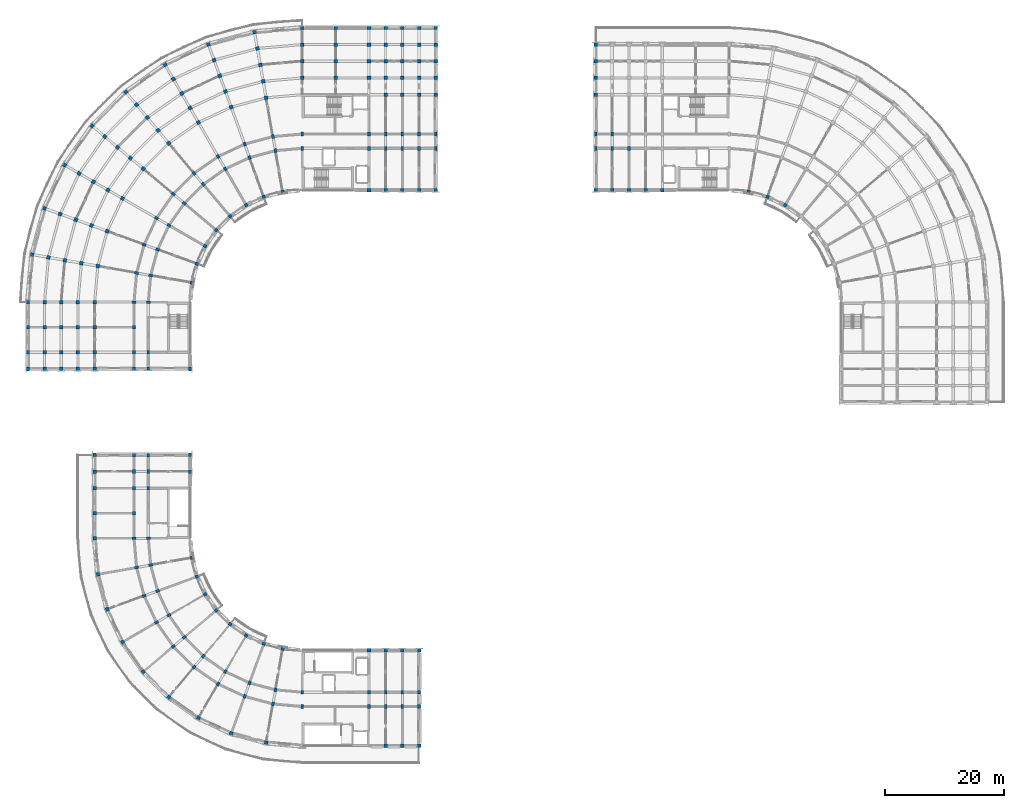
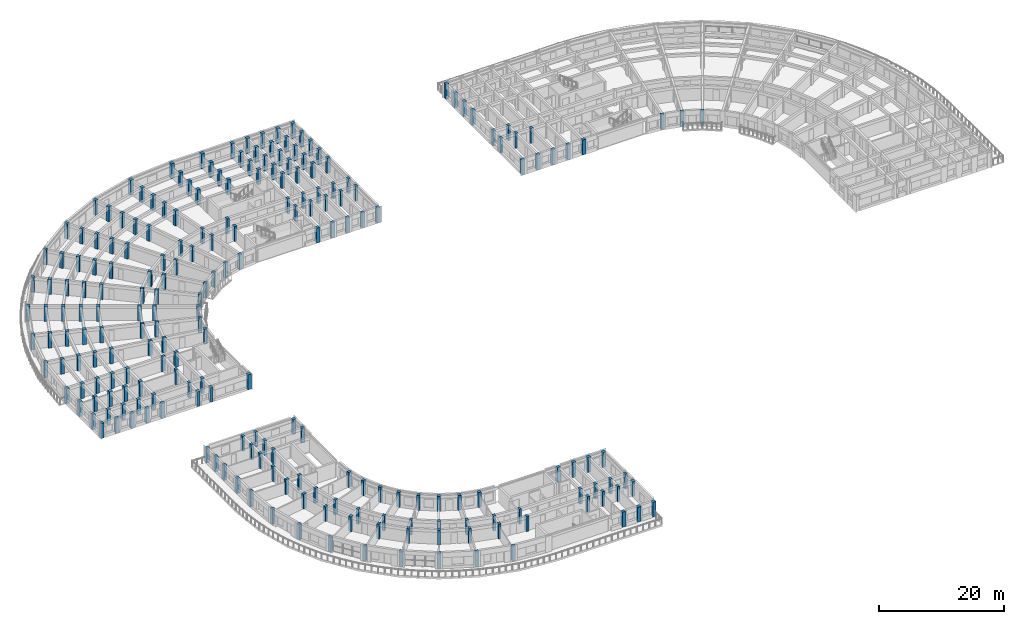
# One storey, part 1 of 53: 223 columns.
"""IFC4 building model written with IfcOpenShell, lengths in metres."""

import ifcopenshell
import ifcopenshell.guid

model = None  # the IFC model being written
_history = None  # IfcOwnerHistory: only IFC2X3 demands one
_inside = {}  # id of a spatial element -> (the spatial element, [elements in it])
_under = {}  # id of a project, library or spatial element -> (it, [spatial elements below it])
_declared = {}  # id of a project -> (the project, [libraries it declares])
_typed = {}  # id of a type object -> (the type object, [elements of that type])
_made_of = {}  # id of a material, layer set ... -> (it, [elements and type objects made of it])


def new_model(schema):
    """Start an empty IFC model of exactly this schema.

    Asked for "IFC4X3", IfcOpenShell would pick the latest addendum, in which some entities
    have other attributes; the version numbers below select the first issue.
    IFC2X3 requires an IfcOwnerHistory on every rooted entity: one is made here for all.
    """
    global model, _history
    if schema == "IFC4X3":
        model = ifcopenshell.file(schema_version=(4, 3, 0, 0))
    else:
        model = ifcopenshell.file(schema=schema)
    _inside.clear()
    _under.clear()
    _declared.clear()
    _typed.clear()
    _made_of.clear()
    _history = None
    if model.schema == "IFC2X3":
        org = make("IfcOrganization", Name="unknown")
        user = make(
            "IfcPersonAndOrganization",
            ThePerson=make("IfcPerson", FamilyName="unknown"),
            TheOrganization=org,
        )
        app = make(
            "IfcApplication",
            ApplicationDeveloper=org,
            Version="unknown",
            ApplicationFullName="unknown",
            ApplicationIdentifier="unknown",
        )
        _history = make(
            "IfcOwnerHistory",
            OwningUser=user,
            OwningApplication=app,
            ChangeAction="ADDED",
            CreationDate=0,
        )
    return model


def make(cls, **values):
    """One entity of the class cls with the attributes given. An attribute that is None is left unset."""
    return model.create_entity(
        cls, **{name: value for name, value in values.items() if value is not None}
    )


def rooted(cls, **values):
    """An entity with a GlobalId (a new one), such as an element, a storey or a relation."""
    return make(cls, GlobalId=ifcopenshell.guid.new(), OwnerHistory=_history, **values)


def si_unit(unit_type, name, prefix=None):
    """IfcSIUnit, for example si_unit("LENGTHUNIT", "METRE", prefix="MILLI")."""
    return make("IfcSIUnit", UnitType=unit_type, Prefix=prefix, Name=name)


def assignment(units):
    """IfcUnitAssignment: the units of a project."""
    return None if units is None else make("IfcUnitAssignment", Units=units)


def point(xyz):
    """IfcCartesianPoint."""
    return None if xyz is None else make("IfcCartesianPoint", Coordinates=xyz)


def direction(xyz):
    """IfcDirection."""
    return None if xyz is None else make("IfcDirection", DirectionRatios=xyz)


def frame(location, z_axis=None, x_axis=None):
    """IfcAxis2Placement3D, a coordinate frame: its origin and axes. An axis left out is left unset."""
    return make(
        "IfcAxis2Placement3D",
        Location=point(location),
        Axis=direction(z_axis),
        RefDirection=direction(x_axis),
    )


def frame_2d(location, x_axis=None):
    """IfcAxis2Placement2D, a coordinate frame in the plane: its origin and x axis."""
    return make(
        "IfcAxis2Placement2D", Location=point(location), RefDirection=direction(x_axis)
    )


def origin():
    """The frame at (0, 0, 0) with its axes left unset."""
    return frame((0.0, 0.0, 0.0))


def origin_2d():
    """The frame at (0, 0) in the plane with its x axis left unset."""
    return frame_2d((0.0, 0.0))


def place(relative_to, where):
    """IfcLocalPlacement: puts the frame where relative to a parent placement (None: the world)."""
    return make(
        "IfcLocalPlacement", PlacementRelTo=relative_to, RelativePlacement=where
    )


def context(
    kind, dimensions, precision=None, world=None, true_north=None, identifier=None
):
    """IfcGeometricRepresentationContext, for example the 3D "Model" context."""
    return make(
        "IfcGeometricRepresentationContext",
        ContextIdentifier=identifier,
        ContextType=kind,
        CoordinateSpaceDimension=dimensions,
        Precision=precision,
        WorldCoordinateSystem=world,
        TrueNorth=true_north,
    )


def subcontext(parent, identifier, kind, view, scale=None):
    """IfcGeometricRepresentationSubContext, for example "Body" below "Model"."""
    return make(
        "IfcGeometricRepresentationSubContext",
        ContextIdentifier=identifier,
        ContextType=kind,
        ParentContext=parent,
        TargetScale=scale,
        TargetView=view,
    )


def project(units=None, contexts=None):
    """IfcProject with its units and contexts."""
    return rooted(
        "IfcProject",
        Name="project",
        RepresentationContexts=contexts,
        UnitsInContext=assignment(units),
    )


def spatial(cls, under=None, at=None, **own):
    """A site, building, storey or space (cls), placed at a placement, below another one or the project."""
    s = rooted(cls, ObjectPlacement=at, **own)
    if under is not None:
        _under.setdefault(under.id(), (under, []))[1].append(s)
    return s


def profile(cls, at=None, kind="AREA", **sizes):
    """A parametric profile (cls). Its sizes go by their IFC names, for example OverallWidth=200.0."""
    return make(cls, ProfileType=kind, Position=at, **sizes)


def rectangle(**sizes):
    """IfcRectangleProfileDef."""
    return profile("IfcRectangleProfileDef", **sizes)


def extrude(swept, where, along, depth):
    """IfcExtrudedAreaSolid: the profile swept, set in the frame where, extruded along a direction by depth."""
    return make(
        "IfcExtrudedAreaSolid",
        SweptArea=swept,
        Position=where,
        ExtrudedDirection=direction(along),
        Depth=depth,
    )


def shape(context_of_items, identifier, shape_type, items):
    """IfcShapeRepresentation: the items that make up one representation, for example the "Body"."""
    return make(
        "IfcShapeRepresentation",
        ContextOfItems=context_of_items,
        RepresentationIdentifier=identifier,
        RepresentationType=shape_type,
        Items=items,
    )


def material(Name=None, Category=None):
    """IfcMaterial."""
    return make("IfcMaterial", Name=Name, Category=Category)


def material_profile(
    of_material, cross_section, Name=None, Category=None, Priority=None
):
    """IfcMaterialProfile: a cross section and its material."""
    return make(
        "IfcMaterialProfile",
        Name=Name,
        Material=of_material,
        Profile=cross_section,
        Priority=Priority,
        Category=Category,
    )


def profile_set(profiles, Name=None, composite=None):
    """IfcMaterialProfileSet."""
    return make(
        "IfcMaterialProfileSet",
        Name=Name,
        MaterialProfiles=profiles,
        CompositeProfile=composite,
    )


def made_of(thing, what):
    """Note that an element or type object is made of a material, layer set ...; save() writes the relation."""
    if what is not None:
        _made_of.setdefault(what.id(), (what, []))[1].append(thing)
    return thing


def type_object(cls, material=None, **own):
    """A type object (cls), such as IfcWallType, which elements share."""
    return made_of(rooted(cls, **own), material)


def element(
    cls,
    number,
    at=None,
    inside=None,
    cuts=None,
    type_object=None,
    material=None,
    context=None,
    identifier="Body",
    shape_type=None,
    held_by="IfcProductDefinitionShape",
    body=None,
    shapes=None,
    **own,
):
    """One element of the class cls, such as IfcWall. Its Tag is "e" and its number.

    at: its placement. inside: the storey or other place that contains it. cuts: it is an
    opening in that element (IfcRelVoidsElement). A single representation is given by context,
    identifier, shape_type and body (its items); several are given by shapes. held_by: the class
    of the entity that holds the representations. save() writes the other relations.
    """
    e = rooted(cls, Tag="e%d" % number, ObjectPlacement=at, **own)
    if body is not None:
        shapes = [shape(context, identifier, shape_type, body)]
    if shapes is not None:
        e.Representation = make(held_by, Representations=shapes)
    if inside is not None:
        _inside.setdefault(inside.id(), (inside, []))[1].append(e)
    if cuts is not None:
        rooted(
            "IfcRelVoidsElement", RelatingBuildingElement=cuts, RelatedOpeningElement=e
        )
    if type_object is not None:
        _typed.setdefault(type_object.id(), (type_object, []))[1].append(e)
    return made_of(e, material)


def aggregate(whole, parts):
    """IfcRelAggregates: a whole, such as a stair, and the parts it consists of."""
    return rooted("IfcRelAggregates", RelatingObject=whole, RelatedObjects=parts)


def save(model, path):
    """Write the relations noted so far, then the file.

    IfcRelAggregates (storeys below a building ...), IfcRelContainedInSpatialStructure (elements
    in a storey), IfcRelDefinesByType, IfcRelAssociatesMaterial and IfcRelDeclares: one each for
    every whole, place, type object, material and project.
    """
    for whole, parts in _under.values():
        aggregate(whole, parts)
    for where, things in _inside.values():
        rooted(
            "IfcRelContainedInSpatialStructure",
            RelatedElements=things,
            RelatingStructure=where,
        )
    for kind, things in _typed.values():
        rooted("IfcRelDefinesByType", RelatedObjects=things, RelatingType=kind)
    for what, things in _made_of.values():
        rooted("IfcRelAssociatesMaterial", RelatedObjects=things, RelatingMaterial=what)
    for by, libraries in _declared.values():
        rooted("IfcRelDeclares", RelatingContext=by, RelatedDefinitions=libraries)
    model.write(path)


model = new_model("IFC4")

# Units and contexts
model_context = context("Model", 3, precision=1e-05, world=origin(), true_north=direction((0.0, 1.0)))
body_context = subcontext(model_context, "Body", "Model", "MODEL_VIEW")
ifc_project = project(units=[si_unit("LENGTHUNIT", "METRE"), si_unit("AREAUNIT", "SQUARE_METRE"), si_unit("VOLUMEUNIT", "CUBIC_METRE"), si_unit("PLANEANGLEUNIT", "RADIAN"), si_unit("MASSUNIT", "GRAM", prefix="KILO")], contexts=[model_context])

# Site, building, storey
site_placement = place(None, origin())
site = spatial("IfcSite", under=ifc_project, at=site_placement, CompositionType="ELEMENT")
building_placement = place(site_placement, origin())
building = spatial("IfcBuilding", under=site, at=building_placement, Name="Kiranvali Square Residences", CompositionType="ELEMENT")
storey_placement = place(building_placement, frame((0.0, 0.0, 30.75)))
storey = spatial("IfcBuildingStorey", under=building, at=storey_placement, Name="L09", CompositionType="ELEMENT", Elevation=30.75)

# Columns
ifc_material = material(Name="Concrete M40 (40 MPa)", Category="concrete")
ifc_material_profile_1 = material_profile(ifc_material, rectangle(XDim=0.550048828125, YDim=0.550048828125, at=origin_2d()), Name="RC 550x550")
ifc_profile_set_1 = profile_set([ifc_material_profile_1], Name="Concrete M40 (40 MPa)")
column_type_1 = type_object("IfcColumnType", Name="COL-M40-550", PredefinedType="COLUMN", material=ifc_profile_set_1)
for number, where, z_axis, x_axis, name in (
    (1, (44.935302734375, 106.314453125, 0.0), (0.0, 0.0, 1.0), (0.984807753012, 0.173648177667, 0.0), "Block A L09 radial column A01-R0"),
    (2, (41.77001953125, 105.46630859375, 0.0), (0.0, 0.0, 1.0), (0.939692620786, 0.342020143326, 0.0), "Block A L09 radial column A02-R0"),
    (3, (38.800048828125, 104.081298828125, 0.0), (0.0, 0.0, 1.0), (0.866025403784, 0.5, 0.0), "Block A L09 radial column A03-R0"),
    (4, (36.115478515625, 102.20166015625, 0.0), (0.0, 0.0, 1.0), (0.766044443119, 0.642787609687, 0.0), "Block A L09 radial column A04-R0"),
    (5, (33.79833984375, 99.884521484375, 0.0), (0.0, 0.0, 1.0), (0.642787609687, 0.766044443119, 0.0), "Block A L09 radial column A05-R0"),
    (6, (31.918701171875, 97.199951171875, 0.0), (0.0, 0.0, 1.0), (0.5, 0.866025403784, 0.0), "Block A L09 radial column A06-R0"),
    (7, (30.53369140625, 94.22998046875, 0.0), (0.0, 0.0, 1.0), (0.342020143326, 0.939692620786, 0.0), "Block A L09 radial column A07-R0"),
    (8, (29.685546875, 91.064697265625, 0.0), (0.0, 0.0, 1.0), (0.173648177667, 0.984807753012, 0.0), "Block A L09 radial column A08-R0"),
    (9, (123.064697265625, 106.314453125, 0.0), (0.0, 0.0, 1.0), (-0.984807753012, 0.173648177667, 0.0), "Block B L09 radial column A01-R0"),
    (10, (126.22998046875, 105.46630859375, 0.0), (0.0, 0.0, 1.0), (-0.939692620786, 0.342020143326, 0.0), "Block B L09 radial column A02-R0"),
    (11, (129.199951171875, 104.081298828125, 0.0), (0.0, 0.0, 1.0), (-0.866025403784, 0.5, 0.0), "Block B L09 radial column A03-R0"),
):
    element("IfcColumn", number, at=place(storey_placement, frame(where, z_axis=z_axis, x_axis=x_axis)), inside=storey, type_object=column_type_1, Name=name, PredefinedType="COLUMN", context=body_context, shape_type="SweptSolid", body=[
        extrude(rectangle(XDim=0.550048828125, YDim=0.550048828125, at=origin_2d()), origin(), (0.0, 0.0, 1.0), 2.929931640625),
    ])
for number, where, z_axis, x_axis, name in (
    (12, (44.935302734375, 29.685546875, 0.0), (0.0, 0.0, 1.0), (-0.984807753012, 0.173648177667, 0.0), "Block C L09 radial column A01-R0"),
    (13, (41.77001953125, 30.53369140625, 0.0), (0.0, 0.0, 1.0), (-0.939692620786, 0.342020143326, 0.0), "Block C L09 radial column A02-R0"),
    (14, (38.800048828125, 31.918701171875, 0.0), (0.0, 0.0, 1.0), (-0.866025403784, 0.5, 0.0), "Block C L09 radial column A03-R0"),
    (15, (36.115478515625, 33.79833984375, 0.0), (0.0, 0.0, 1.0), (-0.766044443119, 0.642787609687, 0.0), "Block C L09 radial column A04-R0"),
    (16, (33.79833984375, 36.115478515625, 0.0), (0.0, 0.0, 1.0), (-0.642787609687, 0.766044443119, 0.0), "Block C L09 radial column A05-R0"),
    (17, (31.918701171875, 38.800048828125, 0.0), (0.0, 0.0, 1.0), (-0.5, 0.866025403784, 0.0), "Block C L09 radial column A06-R0"),
    (18, (30.53369140625, 41.77001953125, 0.0), (0.0, 0.0, 1.0), (-0.342020143326, 0.939692620786, 0.0), "Block C L09 radial column A07-R0"),
    (19, (29.685546875, 44.935302734375, 0.0), (0.0, 0.0, 1.0), (-0.173648177667, 0.984807753012, 0.0), "Block C L09 radial column A08-R0"),
):
    element("IfcColumn", number, at=place(storey_placement, frame(where, z_axis=z_axis, x_axis=x_axis)), inside=storey, type_object=column_type_1, Name=name, PredefinedType="COLUMN", context=body_context, shape_type="SweptSolid", body=[
        extrude(rectangle(XDim=0.550048828125, YDim=0.550048828125, at=origin_2d()), origin(), (0.0, 0.0, 1.0), 2.909912109375),
    ])
ifc_material_profile_2 = material_profile(ifc_material, rectangle(XDim=0.60009765625, YDim=0.60009765625, at=origin_2d()), Name="RC 600x600")
ifc_profile_set_2 = profile_set([ifc_material_profile_2], Name="Concrete M40 (40 MPa)")
column_type_2 = type_object("IfcColumnType", Name="COL-M40-600", PredefinedType="COLUMN", material=ifc_profile_set_2)
for number, where, z_axis, x_axis, name in (
    (20, (48.199951171875, 125.39990234375, 0.0), (0.0, 0.0, 1.0), (1.0, 0.0, 0.0), "Block A L09 radial column A00-R4"),
    (21, (48.199951171875, 128.199951171875, 0.0), (0.0, 0.0, 1.0), (1.0, 0.0, 0.0), "Block A L09 radial column A00-R5"),
    (22, (48.199951171875, 131.0, 0.0), (0.0, 0.0, 1.0), (1.0, 0.0, 0.0), "Block A L09 radial column A00-R6"),
    (23, (48.199951171875, 133.800048828125, 0.0), (0.0, 0.0, 1.0), (1.0, 0.0, 0.0), "Block A L09 radial column A00-R7"),
    (24, (42.156982421875, 122.0712890625, 0.0), (0.0, 0.0, 1.0), (0.984807753012, 0.173648177667, 0.0), "Block A L09 radial column A01-R3"),
    (25, (41.6708984375, 124.828857421875, 0.0), (0.0, 0.0, 1.0), (0.984807753012, 0.173648177667, 0.0), "Block A L09 radial column A01-R4"),
    (26, (41.1845703125, 127.586181640625, 0.0), (0.0, 0.0, 1.0), (0.984807753012, 0.173648177667, 0.0), "Block A L09 radial column A01-R5"),
    (27, (40.698486328125, 130.34375, 0.0), (0.0, 0.0, 1.0), (0.984807753012, 0.173648177667, 0.0), "Block A L09 radial column A01-R6"),
    (28, (40.212158203125, 133.10107421875, 0.0), (0.0, 0.0, 1.0), (0.984807753012, 0.173648177667, 0.0), "Block A L09 radial column A01-R7"),
    (29, (36.297607421875, 120.501220703125, 0.0), (0.0, 0.0, 1.0), (0.939692620786, 0.342020143326, 0.0), "Block A L09 radial column A02-R3"),
    (30, (35.340087890625, 123.13232421875, 0.0), (0.0, 0.0, 1.0), (0.939692620786, 0.342020143326, 0.0), "Block A L09 radial column A02-R4"),
    (31, (34.38232421875, 125.763671875, 0.0), (0.0, 0.0, 1.0), (0.939692620786, 0.342020143326, 0.0), "Block A L09 radial column A02-R5"),
    (32, (33.4248046875, 128.394775390625, 0.0), (0.0, 0.0, 1.0), (0.939692620786, 0.342020143326, 0.0), "Block A L09 radial column A02-R6"),
    (33, (32.467041015625, 131.02587890625, 0.0), (0.0, 0.0, 1.0), (0.939692620786, 0.342020143326, 0.0), "Block A L09 radial column A02-R7"),
    (34, (30.800048828125, 117.937744140625, 0.0), (0.0, 0.0, 1.0), (0.866025403784, 0.5, 0.0), "Block A L09 radial column A03-R3"),
    (35, (29.39990234375, 120.362548828125, 0.0), (0.0, 0.0, 1.0), (0.866025403784, 0.5, 0.0), "Block A L09 radial column A03-R4"),
    (36, (28.0, 122.787353515625, 0.0), (0.0, 0.0, 1.0), (0.866025403784, 0.5, 0.0), "Block A L09 radial column A03-R5"),
    (37, (26.60009765625, 125.21240234375, 0.0), (0.0, 0.0, 1.0), (0.866025403784, 0.5, 0.0), "Block A L09 radial column A03-R6"),
    (38, (25.199951171875, 127.63720703125, 0.0), (0.0, 0.0, 1.0), (0.866025403784, 0.5, 0.0), "Block A L09 radial column A03-R7"),
    (39, (25.8310546875, 114.458251953125, 0.0), (0.0, 0.0, 1.0), (0.766044443119, 0.642787609687, 0.0), "Block A L09 radial column A04-R3"),
    (40, (24.03125, 116.603271484375, 0.0), (0.0, 0.0, 1.0), (0.766044443119, 0.642787609687, 0.0), "Block A L09 radial column A04-R4"),
    (41, (22.2314453125, 118.748291015625, 0.0), (0.0, 0.0, 1.0), (0.766044443119, 0.642787609687, 0.0), "Block A L09 radial column A04-R5"),
    (42, (20.431640625, 120.89306640625, 0.0), (0.0, 0.0, 1.0), (0.766044443119, 0.642787609687, 0.0), "Block A L09 radial column A04-R6"),
    (43, (18.6318359375, 123.0380859375, 0.0), (0.0, 0.0, 1.0), (0.766044443119, 0.642787609687, 0.0), "Block A L09 radial column A04-R7"),
    (44, (21.541748046875, 110.1689453125, 0.0), (0.0, 0.0, 1.0), (0.642787609687, 0.766044443119, 0.0), "Block A L09 radial column A05-R3"),
    (45, (19.396728515625, 111.96875, 0.0), (0.0, 0.0, 1.0), (0.642787609687, 0.766044443119, 0.0), "Block A L09 radial column A05-R4"),
    (46, (17.251708984375, 113.7685546875, 0.0), (0.0, 0.0, 1.0), (0.642787609687, 0.766044443119, 0.0), "Block A L09 radial column A05-R5"),
    (47, (15.10693359375, 115.568359375, 0.0), (0.0, 0.0, 1.0), (0.642787609687, 0.766044443119, 0.0), "Block A L09 radial column A05-R6"),
    (48, (12.9619140625, 117.3681640625, 0.0), (0.0, 0.0, 1.0), (0.642787609687, 0.766044443119, 0.0), "Block A L09 radial column A05-R7"),
    (49, (18.062255859375, 105.199951171875, 0.0), (0.0, 0.0, 1.0), (0.5, 0.866025403784, 0.0), "Block A L09 radial column A06-R3"),
    (50, (15.637451171875, 106.60009765625, 0.0), (0.0, 0.0, 1.0), (0.5, 0.866025403784, 0.0), "Block A L09 radial column A06-R4"),
    (51, (13.212646484375, 108.0, 0.0), (0.0, 0.0, 1.0), (0.5, 0.866025403784, 0.0), "Block A L09 radial column A06-R5"),
    (52, (10.78759765625, 109.39990234375, 0.0), (0.0, 0.0, 1.0), (0.5, 0.866025403784, 0.0), "Block A L09 radial column A06-R6"),
    (53, (8.36279296875, 110.800048828125, 0.0), (0.0, 0.0, 1.0), (0.5, 0.866025403784, 0.0), "Block A L09 radial column A06-R7"),
    (54, (15.498779296875, 99.702392578125, 0.0), (0.0, 0.0, 1.0), (0.342020143326, 0.939692620786, 0.0), "Block A L09 radial column A07-R3"),
    (55, (12.86767578125, 100.659912109375, 0.0), (0.0, 0.0, 1.0), (0.342020143326, 0.939692620786, 0.0), "Block A L09 radial column A07-R4"),
    (56, (10.236328125, 101.61767578125, 0.0), (0.0, 0.0, 1.0), (0.342020143326, 0.939692620786, 0.0), "Block A L09 radial column A07-R5"),
    (57, (7.605224609375, 102.5751953125, 0.0), (0.0, 0.0, 1.0), (0.342020143326, 0.939692620786, 0.0), "Block A L09 radial column A07-R6"),
    (58, (4.97412109375, 103.532958984375, 0.0), (0.0, 0.0, 1.0), (0.342020143326, 0.939692620786, 0.0), "Block A L09 radial column A07-R7"),
    (59, (13.9287109375, 93.843017578125, 0.0), (0.0, 0.0, 1.0), (0.173648177667, 0.984807753012, 0.0), "Block A L09 radial column A08-R3"),
    (60, (11.171142578125, 94.3291015625, 0.0), (0.0, 0.0, 1.0), (0.173648177667, 0.984807753012, 0.0), "Block A L09 radial column A08-R4"),
    (61, (8.413818359375, 94.8154296875, 0.0), (0.0, 0.0, 1.0), (0.173648177667, 0.984807753012, 0.0), "Block A L09 radial column A08-R5"),
    (62, (5.65625, 95.301513671875, 0.0), (0.0, 0.0, 1.0), (0.173648177667, 0.984807753012, 0.0), "Block A L09 radial column A08-R6"),
    (63, (2.89892578125, 95.787841796875, 0.0), (0.0, 0.0, 1.0), (0.173648177667, 0.984807753012, 0.0), "Block A L09 radial column A08-R7"),
    (64, (13.39990234375, 87.800048828125, 0.0), (0.0, 0.0, 1.0), (0.0, 1.0, 0.0), "Block A L09 radial column A09-R3"),
    (65, (10.60009765625, 87.800048828125, 0.0), (0.0, 0.0, 1.0), (0.0, 1.0, 0.0), "Block A L09 radial column A09-R4"),
    (66, (7.800048828125, 87.800048828125, 0.0), (0.0, 0.0, 1.0), (0.0, 1.0, 0.0), "Block A L09 radial column A09-R5"),
    (67, (5.0, 87.800048828125, 0.0), (0.0, 0.0, 1.0), (0.0, 1.0, 0.0), "Block A L09 radial column A09-R6"),
    (68, (2.199951171875, 87.800048828125, 0.0), (0.0, 0.0, 1.0), (0.0, 1.0, 0.0), "Block A L09 radial column A09-R7"),
    (69, (53.800048828125, 125.39990234375, 0.0), (0.0, 0.0, 1.0), (1.0, 0.0, 0.0), "Block A L09 core-front column U0-R4"),
    (70, (53.800048828125, 128.199951171875, 0.0), (0.0, 0.0, 1.0), (1.0, 0.0, 0.0), "Block A L09 core-front column U0-R5"),
    (71, (53.800048828125, 131.0, 0.0), (0.0, 0.0, 1.0), (1.0, 0.0, 0.0), "Block A L09 core-front column U0-R6"),
    (72, (53.800048828125, 133.800048828125, 0.0), (0.0, 0.0, 1.0), (1.0, 0.0, 0.0), "Block A L09 core-front column U0-R7"),
    (73, (59.39990234375, 106.60009765625, 0.0), (0.0, 0.0, 1.0), (1.0, 0.0, 0.0), "Block A L09 Arm 1 column U1-R0"),
    (74, (59.39990234375, 125.39990234375, 0.0), (0.0, 0.0, 1.0), (1.0, 0.0, 0.0), "Block A L09 Arm 1 column U1-R4"),
    (75, (59.39990234375, 128.199951171875, 0.0), (0.0, 0.0, 1.0), (1.0, 0.0, 0.0), "Block A L09 Arm 1 column U1-R5"),
    (76, (59.39990234375, 131.0, 0.0), (0.0, 0.0, 1.0), (1.0, 0.0, 0.0), "Block A L09 Arm 1 column U1-R6"),
    (77, (59.39990234375, 133.800048828125, 0.0), (0.0, 0.0, 1.0), (1.0, 0.0, 0.0), "Block A L09 Arm 1 column U1-R7"),
    (78, (62.199951171875, 106.60009765625, 0.0), (0.0, 0.0, 1.0), (1.0, 0.0, 0.0), "Block A L09 Arm 1 column U2-R0"),
    (79, (62.199951171875, 122.60009765625, 0.0), (0.0, 0.0, 1.0), (1.0, 0.0, 0.0), "Block A L09 Arm 1 column U2-R3"),
    (80, (62.199951171875, 125.39990234375, 0.0), (0.0, 0.0, 1.0), (1.0, 0.0, 0.0), "Block A L09 Arm 1 column U2-R4"),
    (81, (62.199951171875, 128.199951171875, 0.0), (0.0, 0.0, 1.0), (1.0, 0.0, 0.0), "Block A L09 Arm 1 column U2-R5"),
    (82, (62.199951171875, 131.0, 0.0), (0.0, 0.0, 1.0), (1.0, 0.0, 0.0), "Block A L09 Arm 1 column U2-R6"),
    (83, (62.199951171875, 133.800048828125, 0.0), (0.0, 0.0, 1.0), (1.0, 0.0, 0.0), "Block A L09 Arm 1 column U2-R7"),
    (84, (65.0, 106.60009765625, 0.0), (0.0, 0.0, 1.0), (1.0, 0.0, 0.0), "Block A L09 Arm 1 column U3-R0"),
    (85, (65.0, 122.60009765625, 0.0), (0.0, 0.0, 1.0), (1.0, 0.0, 0.0), "Block A L09 Arm 1 column U3-R3"),
    (86, (65.0, 125.39990234375, 0.0), (0.0, 0.0, 1.0), (1.0, 0.0, 0.0), "Block A L09 Arm 1 column U3-R4"),
    (87, (65.0, 128.199951171875, 0.0), (0.0, 0.0, 1.0), (1.0, 0.0, 0.0), "Block A L09 Arm 1 column U3-R5"),
    (88, (65.0, 131.0, 0.0), (0.0, 0.0, 1.0), (1.0, 0.0, 0.0), "Block A L09 Arm 1 column U3-R6"),
    (89, (65.0, 133.800048828125, 0.0), (0.0, 0.0, 1.0), (1.0, 0.0, 0.0), "Block A L09 Arm 1 column U3-R7"),
    (90, (67.800048828125, 106.60009765625, 0.0), (0.0, 0.0, 1.0), (1.0, 0.0, 0.0), "Block A L09 Arm 1 column U4-R0"),
    (91, (67.800048828125, 122.60009765625, 0.0), (0.0, 0.0, 1.0), (1.0, 0.0, 0.0), "Block A L09 Arm 1 column U4-R3"),
    (92, (67.800048828125, 125.39990234375, 0.0), (0.0, 0.0, 1.0), (1.0, 0.0, 0.0), "Block A L09 Arm 1 column U4-R4"),
    (93, (67.800048828125, 128.199951171875, 0.0), (0.0, 0.0, 1.0), (1.0, 0.0, 0.0), "Block A L09 Arm 1 column U4-R5"),
    (94, (67.800048828125, 131.0, 0.0), (0.0, 0.0, 1.0), (1.0, 0.0, 0.0), "Block A L09 Arm 1 column U4-R6"),
    (95, (67.800048828125, 133.800048828125, 0.0), (0.0, 0.0, 1.0), (1.0, 0.0, 0.0), "Block A L09 Arm 1 column U4-R7"),
    (96, (70.60009765625, 106.60009765625, 0.0), (0.0, 0.0, 1.0), (1.0, 0.0, 0.0), "Block A L09 Arm 1 column U5-R0"),
    (97, (70.60009765625, 122.60009765625, 0.0), (0.0, 0.0, 1.0), (1.0, 0.0, 0.0), "Block A L09 Arm 1 column U5-R3"),
    (98, (70.60009765625, 125.39990234375, 0.0), (0.0, 0.0, 1.0), (1.0, 0.0, 0.0), "Block A L09 Arm 1 column U5-R4"),
    (99, (70.60009765625, 128.199951171875, 0.0), (0.0, 0.0, 1.0), (1.0, 0.0, 0.0), "Block A L09 Arm 1 column U5-R5"),
    (100, (70.60009765625, 131.0, 0.0), (0.0, 0.0, 1.0), (1.0, 0.0, 0.0), "Block A L09 Arm 1 column U5-R6"),
    (101, (70.60009765625, 133.800048828125, 0.0), (0.0, 0.0, 1.0), (1.0, 0.0, 0.0), "Block A L09 Arm 1 column U5-R7"),
    (102, (13.39990234375, 83.60009765625, 0.0), (0.0, 0.0, 1.0), (1.0, 0.0, 0.0), "Block A L09 Arm 2 mid-core column V0-R3"),
    (103, (10.60009765625, 83.60009765625, 0.0), (0.0, 0.0, 1.0), (1.0, 0.0, 0.0), "Block A L09 Arm 2 mid-core column V0-R4"),
    (104, (7.800048828125, 83.60009765625, 0.0), (0.0, 0.0, 1.0), (1.0, 0.0, 0.0), "Block A L09 Arm 2 mid-core column V0-R5"),
    (105, (5.0, 83.60009765625, 0.0), (0.0, 0.0, 1.0), (1.0, 0.0, 0.0), "Block A L09 Arm 2 mid-core column V0-R6"),
    (106, (2.199951171875, 83.60009765625, 0.0), (0.0, 0.0, 1.0), (1.0, 0.0, 0.0), "Block A L09 Arm 2 mid-core column V0-R7"),
    (107, (13.39990234375, 79.39990234375, 0.0), (0.0, 0.0, 1.0), (1.0, 0.0, 0.0), "Block A L09 Arm 2 column V1-R3"),
    (108, (10.60009765625, 79.39990234375, 0.0), (0.0, 0.0, 1.0), (1.0, 0.0, 0.0), "Block A L09 Arm 2 column V1-R4"),
    (109, (7.800048828125, 79.39990234375, 0.0), (0.0, 0.0, 1.0), (1.0, 0.0, 0.0), "Block A L09 Arm 2 column V1-R5"),
    (110, (5.0, 79.39990234375, 0.0), (0.0, 0.0, 1.0), (1.0, 0.0, 0.0), "Block A L09 Arm 2 column V1-R6"),
    (111, (2.199951171875, 79.39990234375, 0.0), (0.0, 0.0, 1.0), (1.0, 0.0, 0.0), "Block A L09 Arm 2 column V1-R7"),
    (112, (29.39990234375, 76.60009765625, 0.0), (0.0, 0.0, 1.0), (1.0, 0.0, 0.0), "Block A L09 Arm 2 column V2-R0"),
    (113, (13.39990234375, 76.60009765625, 0.0), (0.0, 0.0, 1.0), (1.0, 0.0, 0.0), "Block A L09 Arm 2 column V2-R3"),
    (114, (10.60009765625, 76.60009765625, 0.0), (0.0, 0.0, 1.0), (1.0, 0.0, 0.0), "Block A L09 Arm 2 column V2-R4"),
    (115, (7.800048828125, 76.60009765625, 0.0), (0.0, 0.0, 1.0), (1.0, 0.0, 0.0), "Block A L09 Arm 2 column V2-R5"),
    (116, (5.0, 76.60009765625, 0.0), (0.0, 0.0, 1.0), (1.0, 0.0, 0.0), "Block A L09 Arm 2 column V2-R6"),
    (117, (2.199951171875, 76.60009765625, 0.0), (0.0, 0.0, 1.0), (1.0, 0.0, 0.0), "Block A L09 Arm 2 column V2-R7"),
    (118, (108.60009765625, 106.60009765625, 0.0), (0.0, 0.0, 1.0), (1.0, 0.0, 0.0), "Block B L09 Arm 1 column U1-R0"),
    (119, (105.800048828125, 106.60009765625, 0.0), (0.0, 0.0, 1.0), (1.0, 0.0, 0.0), "Block B L09 Arm 1 column U2-R0"),
    (120, (103.0, 106.60009765625, 0.0), (0.0, 0.0, 1.0), (1.0, 0.0, 0.0), "Block B L09 Arm 1 column U3-R0"),
    (121, (100.199951171875, 106.60009765625, 0.0), (0.0, 0.0, 1.0), (1.0, 0.0, 0.0), "Block B L09 Arm 1 column U4-R0"),
    (122, (97.39990234375, 106.60009765625, 0.0), (0.0, 0.0, 1.0), (1.0, 0.0, 0.0), "Block B L09 Arm 1 column U5-R0"),
    (123, (97.39990234375, 122.60009765625, 0.0), (0.0, 0.0, 1.0), (1.0, 0.0, 0.0), "Block B L09 Arm 1 column U5-R3"),
    (124, (97.39990234375, 125.39990234375, 0.0), (0.0, 0.0, 1.0), (1.0, 0.0, 0.0), "Block B L09 Arm 1 column U5-R4"),
    (125, (97.39990234375, 128.199951171875, 0.0), (0.0, 0.0, 1.0), (1.0, 0.0, 0.0), "Block B L09 Arm 1 column U5-R5"),
):
    element("IfcColumn", number, at=place(storey_placement, frame(where, z_axis=z_axis, x_axis=x_axis)), inside=storey, type_object=column_type_2, Name=name, PredefinedType="COLUMN", context=body_context, shape_type="SweptSolid", body=[
        extrude(rectangle(XDim=0.60009765625, YDim=0.60009765625, at=origin_2d()), origin(), (0.0, 0.0, 1.0), 2.929931640625),
    ])
column_placement = place(storey_placement, frame((97.39990234375, 131.0, 0.0), z_axis=(0.0, 0.0, 1.0), x_axis=(1.0, 0.0, 0.0)))
element("IfcColumn", 126, at=column_placement, inside=storey, type_object=column_type_2, Name="Block B L09 Arm 1 column U5-R6", PredefinedType="COLUMN", context=body_context, shape_type="SweptSolid", body=[
    extrude(rectangle(XDim=0.60009765625, YDim=0.60009765625, at=origin_2d()), origin(), (0.0, 0.0, 1.0), 2.969970703125),
])
for number, where, z_axis, x_axis, name in (
    (127, (42.156982421875, 13.9287109375, 0.0), (0.0, 0.0, 1.0), (-0.984807753012, 0.173648177667, 0.0), "Block C L09 radial column A01-R3"),
    (128, (36.297607421875, 15.498779296875, 0.0), (0.0, 0.0, 1.0), (-0.939692620786, 0.342020143326, 0.0), "Block C L09 radial column A02-R3"),
    (129, (30.800048828125, 18.062255859375, 0.0), (0.0, 0.0, 1.0), (-0.866025403784, 0.5, 0.0), "Block C L09 radial column A03-R3"),
    (130, (25.8310546875, 21.541748046875, 0.0), (0.0, 0.0, 1.0), (-0.766044443119, 0.642787609687, 0.0), "Block C L09 radial column A04-R3"),
    (131, (21.541748046875, 25.8310546875, 0.0), (0.0, 0.0, 1.0), (-0.642787609687, 0.766044443119, 0.0), "Block C L09 radial column A05-R3"),
    (132, (18.062255859375, 30.800048828125, 0.0), (0.0, 0.0, 1.0), (-0.5, 0.866025403784, 0.0), "Block C L09 radial column A06-R3"),
    (133, (15.498779296875, 36.297607421875, 0.0), (0.0, 0.0, 1.0), (-0.342020143326, 0.939692620786, 0.0), "Block C L09 radial column A07-R3"),
    (134, (13.9287109375, 42.156982421875, 0.0), (0.0, 0.0, 1.0), (-0.173648177667, 0.984807753012, 0.0), "Block C L09 radial column A08-R3"),
    (135, (13.39990234375, 48.199951171875, 0.0), (0.0, 0.0, 1.0), (0.0, 1.0, 0.0), "Block C L09 radial column A09-R3"),
    (136, (59.39990234375, 29.39990234375, 0.0), (0.0, 0.0, 1.0), (1.0, 0.0, 0.0), "Block C L09 Arm 1 column U1-R0"),
    (137, (62.199951171875, 29.39990234375, 0.0), (0.0, 0.0, 1.0), (1.0, 0.0, 0.0), "Block C L09 Arm 1 column U2-R0"),
    (138, (62.199951171875, 13.39990234375, 0.0), (0.0, 0.0, 1.0), (1.0, 0.0, 0.0), "Block C L09 Arm 1 column U2-R3"),
    (139, (65.0, 29.39990234375, 0.0), (0.0, 0.0, 1.0), (1.0, 0.0, 0.0), "Block C L09 Arm 1 column U3-R0"),
    (140, (65.0, 13.39990234375, 0.0), (0.0, 0.0, 1.0), (1.0, 0.0, 0.0), "Block C L09 Arm 1 column U3-R3"),
    (141, (67.800048828125, 29.39990234375, 0.0), (0.0, 0.0, 1.0), (1.0, 0.0, 0.0), "Block C L09 Arm 1 column U4-R0"),
    (142, (67.800048828125, 13.39990234375, 0.0), (0.0, 0.0, 1.0), (1.0, 0.0, 0.0), "Block C L09 Arm 1 column U4-R3"),
    (143, (13.39990234375, 52.39990234375, 0.0), (0.0, 0.0, 1.0), (1.0, 0.0, 0.0), "Block C L09 Arm 2 mid-core column V0-R3"),
    (144, (13.39990234375, 56.60009765625, 0.0), (0.0, 0.0, 1.0), (1.0, 0.0, 0.0), "Block C L09 Arm 2 column V1-R3"),
    (145, (29.39990234375, 59.39990234375, 0.0), (0.0, 0.0, 1.0), (1.0, 0.0, 0.0), "Block C L09 Arm 2 column V2-R0"),
    (146, (13.39990234375, 59.39990234375, 0.0), (0.0, 0.0, 1.0), (1.0, 0.0, 0.0), "Block C L09 Arm 2 column V2-R3"),
    (147, (29.39990234375, 62.199951171875, 0.0), (0.0, 0.0, 1.0), (1.0, 0.0, 0.0), "Block C L09 Arm 2 column V3-R0"),
    (148, (13.39990234375, 62.199951171875, 0.0), (0.0, 0.0, 1.0), (1.0, 0.0, 0.0), "Block C L09 Arm 2 column V3-R3"),
):
    element("IfcColumn", number, at=place(storey_placement, frame(where, z_axis=z_axis, x_axis=x_axis)), inside=storey, type_object=column_type_2, Name=name, PredefinedType="COLUMN", context=body_context, shape_type="SweptSolid", body=[
        extrude(rectangle(XDim=0.60009765625, YDim=0.60009765625, at=origin_2d()), origin(), (0.0, 0.0, 1.0), 2.909912109375),
    ])
ifc_material_profile_3 = material_profile(ifc_material, rectangle(XDim=0.449951171875, YDim=0.64990234375, at=origin_2d()), Name="RC 650x450")
ifc_profile_set_3 = profile_set([ifc_material_profile_3], Name="Concrete M40 (40 MPa)")
column_type_3 = type_object("IfcColumnType", Name="COL-M40-650x450", PredefinedType="COLUMN", material=ifc_profile_set_3)
for number, where, z_axis, x_axis, name in (
    (149, (48.199951171875, 113.60009765625, 0.0), (0.0, 0.0, 1.0), (1.0, 0.0, 0.0), "Block A L09 radial column A00-R1"),
    (150, (48.199951171875, 116.0, 0.0), (0.0, 0.0, 1.0), (1.0, 0.0, 0.0), "Block A L09 radial column A00-R2"),
    (151, (43.719970703125, 113.2080078125, 0.0), (0.0, 0.0, 1.0), (0.984807753012, 0.173648177667, 0.0), "Block A L09 radial column A01-R1"),
    (152, (43.30322265625, 115.571533203125, 0.0), (0.0, 0.0, 1.0), (0.984807753012, 0.173648177667, 0.0), "Block A L09 radial column A01-R2"),
    (153, (39.3759765625, 112.044189453125, 0.0), (0.0, 0.0, 1.0), (0.939692620786, 0.342020143326, 0.0), "Block A L09 radial column A02-R1"),
    (154, (38.554931640625, 114.29931640625, 0.0), (0.0, 0.0, 1.0), (0.939692620786, 0.342020143326, 0.0), "Block A L09 radial column A02-R2"),
    (155, (35.300048828125, 110.1435546875, 0.0), (0.0, 0.0, 1.0), (0.866025403784, 0.5, 0.0), "Block A L09 radial column A03-R1"),
    (156, (34.10009765625, 112.221923828125, 0.0), (0.0, 0.0, 1.0), (0.866025403784, 0.5, 0.0), "Block A L09 radial column A03-R2"),
    (157, (31.615966796875, 107.56396484375, 0.0), (0.0, 0.0, 1.0), (0.766044443119, 0.642787609687, 0.0), "Block A L09 radial column A04-R1"),
    (158, (30.073486328125, 109.40234375, 0.0), (0.0, 0.0, 1.0), (0.766044443119, 0.642787609687, 0.0), "Block A L09 radial column A04-R2"),
    (159, (28.43603515625, 104.384033203125, 0.0), (0.0, 0.0, 1.0), (0.642787609687, 0.766044443119, 0.0), "Block A L09 radial column A05-R1"),
    (160, (26.59765625, 105.926513671875, 0.0), (0.0, 0.0, 1.0), (0.642787609687, 0.766044443119, 0.0), "Block A L09 radial column A05-R2"),
    (161, (25.8564453125, 100.699951171875, 0.0), (0.0, 0.0, 1.0), (0.5, 0.866025403784, 0.0), "Block A L09 radial column A06-R1"),
    (162, (23.778076171875, 101.89990234375, 0.0), (0.0, 0.0, 1.0), (0.5, 0.866025403784, 0.0), "Block A L09 radial column A06-R2"),
    (163, (23.955810546875, 96.6240234375, 0.0), (0.0, 0.0, 1.0), (0.342020143326, 0.939692620786, 0.0), "Block A L09 radial column A07-R1"),
    (164, (21.70068359375, 97.445068359375, 0.0), (0.0, 0.0, 1.0), (0.342020143326, 0.939692620786, 0.0), "Block A L09 radial column A07-R2"),
    (165, (22.7919921875, 92.280029296875, 0.0), (0.0, 0.0, 1.0), (0.173648177667, 0.984807753012, 0.0), "Block A L09 radial column A08-R1"),
    (166, (20.428466796875, 92.69677734375, 0.0), (0.0, 0.0, 1.0), (0.173648177667, 0.984807753012, 0.0), "Block A L09 radial column A08-R2"),
    (167, (22.39990234375, 87.800048828125, 0.0), (0.0, 0.0, 1.0), (0.0, 1.0, 0.0), "Block A L09 radial column A09-R1"),
    (168, (20.0, 87.800048828125, 0.0), (0.0, 0.0, 1.0), (0.0, 1.0, 0.0), "Block A L09 radial column A09-R2"),
    (169, (59.39990234375, 113.60009765625, 0.0), (0.0, 0.0, 1.0), (1.0, 0.0, 0.0), "Block A L09 Arm 1 column U1-R1"),
    (170, (59.39990234375, 116.0, 0.0), (0.0, 0.0, 1.0), (1.0, 0.0, 0.0), "Block A L09 Arm 1 column U1-R2"),
    (171, (62.199951171875, 113.60009765625, 0.0), (0.0, 0.0, 1.0), (1.0, 0.0, 0.0), "Block A L09 Arm 1 column U2-R1"),
    (172, (62.199951171875, 116.0, 0.0), (0.0, 0.0, 1.0), (1.0, 0.0, 0.0), "Block A L09 Arm 1 column U2-R2"),
    (173, (65.0, 113.60009765625, 0.0), (0.0, 0.0, 1.0), (1.0, 0.0, 0.0), "Block A L09 Arm 1 column U3-R1"),
    (174, (65.0, 116.0, 0.0), (0.0, 0.0, 1.0), (1.0, 0.0, 0.0), "Block A L09 Arm 1 column U3-R2"),
    (175, (67.800048828125, 113.60009765625, 0.0), (0.0, 0.0, 1.0), (1.0, 0.0, 0.0), "Block A L09 Arm 1 column U4-R1"),
    (176, (67.800048828125, 116.0, 0.0), (0.0, 0.0, 1.0), (1.0, 0.0, 0.0), "Block A L09 Arm 1 column U4-R2"),
    (177, (70.60009765625, 113.60009765625, 0.0), (0.0, 0.0, 1.0), (1.0, 0.0, 0.0), "Block A L09 Arm 1 column U5-R1"),
    (178, (70.60009765625, 116.0, 0.0), (0.0, 0.0, 1.0), (1.0, 0.0, 0.0), "Block A L09 Arm 1 column U5-R2"),
    (179, (20.0, 83.60009765625, 0.0), (0.0, 0.0, 1.0), (1.0, 0.0, 0.0), "Block A L09 Arm 2 mid-core column V0-R2"),
    (180, (22.39990234375, 79.39990234375, 0.0), (0.0, 0.0, 1.0), (1.0, 0.0, 0.0), "Block A L09 Arm 2 column V1-R1"),
    (181, (20.0, 79.39990234375, 0.0), (0.0, 0.0, 1.0), (1.0, 0.0, 0.0), "Block A L09 Arm 2 column V1-R2"),
    (182, (22.39990234375, 76.60009765625, 0.0), (0.0, 0.0, 1.0), (1.0, 0.0, 0.0), "Block A L09 Arm 2 column V2-R1"),
    (183, (20.0, 76.60009765625, 0.0), (0.0, 0.0, 1.0), (1.0, 0.0, 0.0), "Block A L09 Arm 2 column V2-R2"),
    (184, (103.0, 113.60009765625, 0.0), (0.0, 0.0, 1.0), (1.0, 0.0, 0.0), "Block B L09 Arm 1 column U3-R1"),
    (185, (100.199951171875, 113.60009765625, 0.0), (0.0, 0.0, 1.0), (1.0, 0.0, 0.0), "Block B L09 Arm 1 column U4-R1"),
    (186, (100.199951171875, 116.0, 0.0), (0.0, 0.0, 1.0), (1.0, 0.0, 0.0), "Block B L09 Arm 1 column U4-R2"),
    (187, (97.39990234375, 113.60009765625, 0.0), (0.0, 0.0, 1.0), (1.0, 0.0, 0.0), "Block B L09 Arm 1 column U5-R1"),
    (188, (97.39990234375, 116.0, 0.0), (0.0, 0.0, 1.0), (1.0, 0.0, 0.0), "Block B L09 Arm 1 column U5-R2"),
):
    element("IfcColumn", number, at=place(storey_placement, frame(where, z_axis=z_axis, x_axis=x_axis)), inside=storey, type_object=column_type_3, Name=name, PredefinedType="COLUMN", context=body_context, shape_type="SweptSolid", body=[
        extrude(rectangle(XDim=0.449951171875, YDim=0.64990234375, at=origin_2d()), origin(), (0.0, 0.0, 1.0), 2.929931640625),
    ])
for number, where, z_axis, x_axis, name in (
    (189, (48.199951171875, 22.39990234375, 0.0), (0.0, 0.0, 1.0), (1.0, 0.0, 0.0), "Block C L09 radial column A00-R1"),
    (190, (48.199951171875, 20.0, 0.0), (0.0, 0.0, 1.0), (1.0, 0.0, 0.0), "Block C L09 radial column A00-R2"),
    (191, (43.719970703125, 22.7919921875, 0.0), (0.0, 0.0, 1.0), (-0.984807753012, 0.173648177667, 0.0), "Block C L09 radial column A01-R1"),
    (192, (43.30322265625, 20.428466796875, 0.0), (0.0, 0.0, 1.0), (-0.984807753012, 0.173648177667, 0.0), "Block C L09 radial column A01-R2"),
    (193, (39.3759765625, 23.955810546875, 0.0), (0.0, 0.0, 1.0), (-0.939692620786, 0.342020143326, 0.0), "Block C L09 radial column A02-R1"),
    (194, (38.554931640625, 21.70068359375, 0.0), (0.0, 0.0, 1.0), (-0.939692620786, 0.342020143326, 0.0), "Block C L09 radial column A02-R2"),
    (195, (35.300048828125, 25.8564453125, 0.0), (0.0, 0.0, 1.0), (-0.866025403784, 0.5, 0.0), "Block C L09 radial column A03-R1"),
    (196, (34.10009765625, 23.778076171875, 0.0), (0.0, 0.0, 1.0), (-0.866025403784, 0.5, 0.0), "Block C L09 radial column A03-R2"),
    (197, (31.615966796875, 28.43603515625, 0.0), (0.0, 0.0, 1.0), (-0.766044443119, 0.642787609687, 0.0), "Block C L09 radial column A04-R1"),
    (198, (30.073486328125, 26.59765625, 0.0), (0.0, 0.0, 1.0), (-0.766044443119, 0.642787609687, 0.0), "Block C L09 radial column A04-R2"),
    (199, (28.43603515625, 31.615966796875, 0.0), (0.0, 0.0, 1.0), (-0.642787609687, 0.766044443119, 0.0), "Block C L09 radial column A05-R1"),
    (200, (26.59765625, 30.073486328125, 0.0), (0.0, 0.0, 1.0), (-0.642787609687, 0.766044443119, 0.0), "Block C L09 radial column A05-R2"),
    (201, (25.8564453125, 35.300048828125, 0.0), (0.0, 0.0, 1.0), (-0.5, 0.866025403784, 0.0), "Block C L09 radial column A06-R1"),
    (202, (23.778076171875, 34.10009765625, 0.0), (0.0, 0.0, 1.0), (-0.5, 0.866025403784, 0.0), "Block C L09 radial column A06-R2"),
    (203, (23.955810546875, 39.3759765625, 0.0), (0.0, 0.0, 1.0), (-0.342020143326, 0.939692620786, 0.0), "Block C L09 radial column A07-R1"),
    (204, (21.70068359375, 38.554931640625, 0.0), (0.0, 0.0, 1.0), (-0.342020143326, 0.939692620786, 0.0), "Block C L09 radial column A07-R2"),
    (205, (22.7919921875, 43.719970703125, 0.0), (0.0, 0.0, 1.0), (-0.173648177667, 0.984807753012, 0.0), "Block C L09 radial column A08-R1"),
    (206, (20.428466796875, 43.30322265625, 0.0), (0.0, 0.0, 1.0), (-0.173648177667, 0.984807753012, 0.0), "Block C L09 radial column A08-R2"),
    (207, (22.39990234375, 48.199951171875, 0.0), (0.0, 0.0, 1.0), (0.0, 1.0, 0.0), "Block C L09 radial column A09-R1"),
    (208, (20.0, 48.199951171875, 0.0), (0.0, 0.0, 1.0), (0.0, 1.0, 0.0), "Block C L09 radial column A09-R2"),
    (209, (59.39990234375, 22.39990234375, 0.0), (0.0, 0.0, 1.0), (1.0, 0.0, 0.0), "Block C L09 Arm 1 column U1-R1"),
    (210, (59.39990234375, 20.0, 0.0), (0.0, 0.0, 1.0), (1.0, 0.0, 0.0), "Block C L09 Arm 1 column U1-R2"),
    (211, (62.199951171875, 22.39990234375, 0.0), (0.0, 0.0, 1.0), (1.0, 0.0, 0.0), "Block C L09 Arm 1 column U2-R1"),
    (212, (62.199951171875, 20.0, 0.0), (0.0, 0.0, 1.0), (1.0, 0.0, 0.0), "Block C L09 Arm 1 column U2-R2"),
    (213, (65.0, 22.39990234375, 0.0), (0.0, 0.0, 1.0), (1.0, 0.0, 0.0), "Block C L09 Arm 1 column U3-R1"),
    (214, (65.0, 20.0, 0.0), (0.0, 0.0, 1.0), (1.0, 0.0, 0.0), "Block C L09 Arm 1 column U3-R2"),
    (215, (67.800048828125, 22.39990234375, 0.0), (0.0, 0.0, 1.0), (1.0, 0.0, 0.0), "Block C L09 Arm 1 column U4-R1"),
    (216, (67.800048828125, 20.0, 0.0), (0.0, 0.0, 1.0), (1.0, 0.0, 0.0), "Block C L09 Arm 1 column U4-R2"),
    (217, (20.0, 52.39990234375, 0.0), (0.0, 0.0, 1.0), (1.0, 0.0, 0.0), "Block C L09 Arm 2 mid-core column V0-R2"),
    (218, (22.39990234375, 56.60009765625, 0.0), (0.0, 0.0, 1.0), (1.0, 0.0, 0.0), "Block C L09 Arm 2 column V1-R1"),
    (219, (20.0, 56.60009765625, 0.0), (0.0, 0.0, 1.0), (1.0, 0.0, 0.0), "Block C L09 Arm 2 column V1-R2"),
    (220, (22.39990234375, 59.39990234375, 0.0), (0.0, 0.0, 1.0), (1.0, 0.0, 0.0), "Block C L09 Arm 2 column V2-R1"),
    (221, (20.0, 59.39990234375, 0.0), (0.0, 0.0, 1.0), (1.0, 0.0, 0.0), "Block C L09 Arm 2 column V2-R2"),
    (222, (22.39990234375, 62.199951171875, 0.0), (0.0, 0.0, 1.0), (1.0, 0.0, 0.0), "Block C L09 Arm 2 column V3-R1"),
    (223, (20.0, 62.199951171875, 0.0), (0.0, 0.0, 1.0), (1.0, 0.0, 0.0), "Block C L09 Arm 2 column V3-R2"),
):
    element("IfcColumn", number, at=place(storey_placement, frame(where, z_axis=z_axis, x_axis=x_axis)), inside=storey, type_object=column_type_3, Name=name, PredefinedType="COLUMN", context=body_context, shape_type="SweptSolid", body=[
        extrude(rectangle(XDim=0.449951171875, YDim=0.64990234375, at=origin_2d()), origin(), (0.0, 0.0, 1.0), 2.909912109375),
    ])

save(model, "model.ifc")
